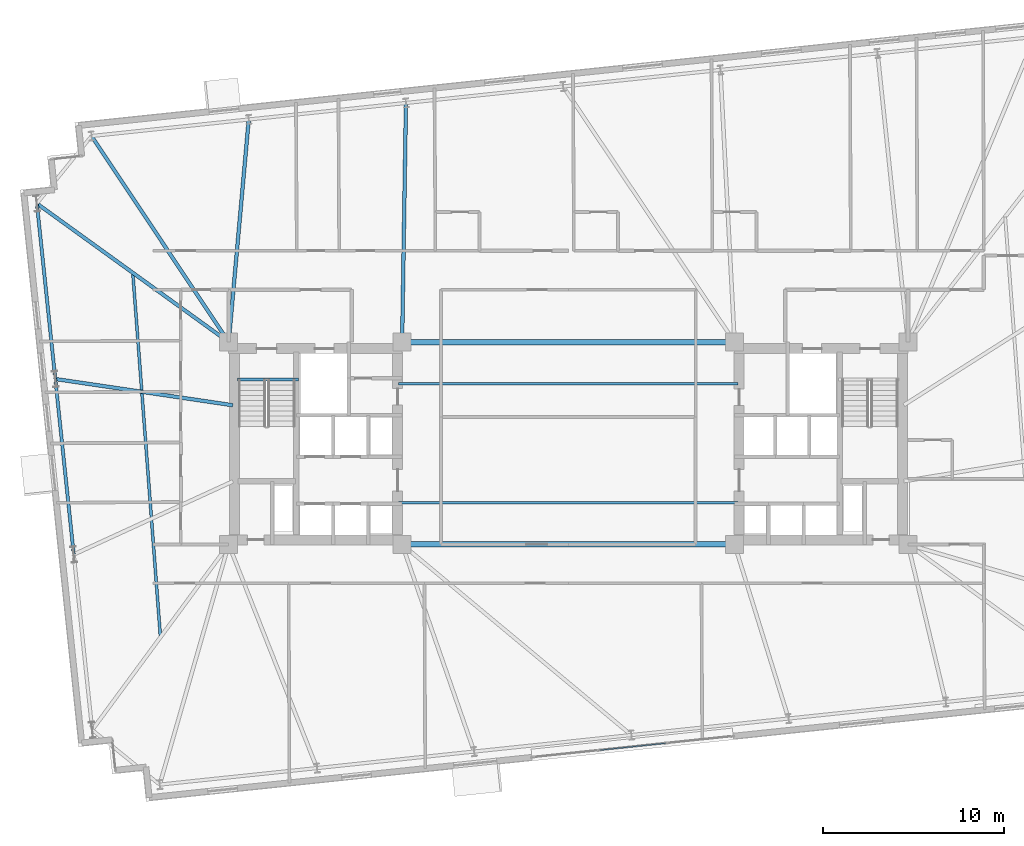
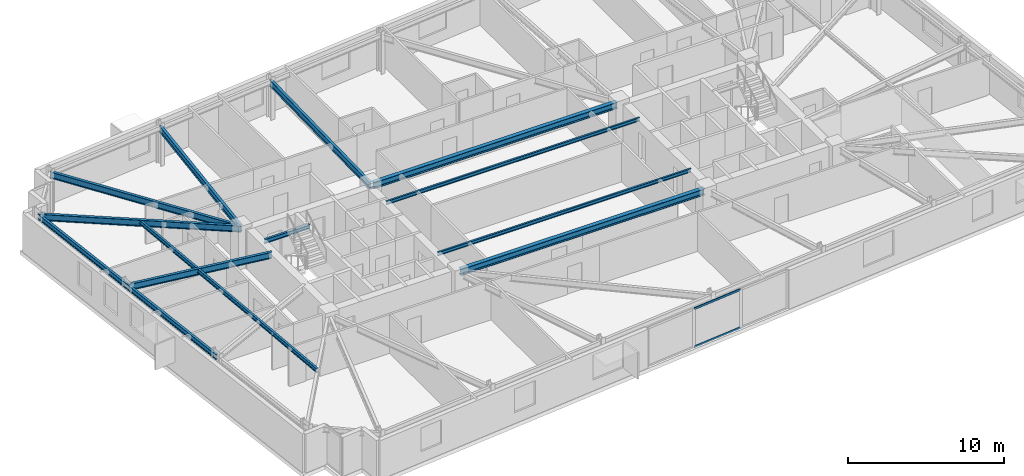
# One storey, part 7 of 23: 13 beams, 2 members, 1 element without a shape of its own.
"""IFC4 building model written with IfcOpenShell, lengths in metres."""

from ifc_helpers import new_model, si_unit, direction, frame, origin, origin_2d, place, context, subcontext, project, spatial, hollow_rectangle, i_section, extrude, material, layer, layer_set, material_profile, profile_set, type_object, element, aggregate, save


model = new_model("IFC4")

# Units and contexts
model_context = context("Model", 3, precision=1e-05, world=origin(), true_north=direction((0.0, 1.0)))
body_context = subcontext(model_context, "Body", "Model", "MODEL_VIEW")
ifc_project = project(units=[si_unit("LENGTHUNIT", "METRE"), si_unit("AREAUNIT", "SQUARE_METRE"), si_unit("VOLUMEUNIT", "CUBIC_METRE"), si_unit("PLANEANGLEUNIT", "RADIAN"), si_unit("MASSUNIT", "GRAM", prefix="KILO")], contexts=[model_context])

# Site, building, storey
site_placement = place(None, origin())
site = spatial("IfcSite", under=ifc_project, at=site_placement, CompositionType="ELEMENT")
building_placement = place(site_placement, origin())
building = spatial("IfcBuilding", under=site, at=building_placement, Name="Qobustan Lattice House", CompositionType="ELEMENT")
storey_placement = place(building_placement, frame((0.0, 0.0, 102.449951171875)))
storey = spatial("IfcBuildingStorey", under=building, at=storey_placement, Name="L28", CompositionType="ELEMENT", Elevation=102.449951171875)

# Beams
ifc_material_1 = material(Name="Steel S355", Category="steel")
ifc_material_profile_1 = material_profile(ifc_material_1, i_section(OverallWidth=0.300048828125, OverallDepth=0.5, WebThickness=0.014404296875, FlangeThickness=0.028076171875, FilletRadius=0.027099609375, at=origin_2d()), Name="HEB500")
ifc_profile_set_1 = profile_set([ifc_material_profile_1], Name="Steel S355")
beam_type_1 = type_object("IfcBeamType", Name="BM-CG-HEB500", PredefinedType="USERDEFINED", material=ifc_profile_set_1)
for number, where, z_axis, x_axis, name in (
    (1, (-9.050048828125, -5.60009765625, 2.795166015625), (1.0, 0.0, 0.0), (0.0, 1.0, 0.0), "L28 core spine girder CG-CS"),
    (2, (-9.050048828125, 5.60009765625, 2.795166015625), (1.0, 0.0, 0.0), (0.0, 1.0, 0.0), "L28 core spine girder CG-CN"),
):
    element("IfcBeam", number, at=place(storey_placement, frame(where, z_axis=z_axis, x_axis=x_axis)), inside=storey, type_object=beam_type_1, Name=name, ObjectType="GIRDER", PredefinedType="USERDEFINED", context=body_context, shape_type="SweptSolid", body=[
        extrude(i_section(OverallWidth=0.300048828125, OverallDepth=0.5, WebThickness=0.014404296875, FlangeThickness=0.028076171875, FilletRadius=0.027099609375, at=origin_2d()), origin(), (0.0, 0.0, 1.0), 18.10009765625),
    ])
ifc_material_2 = material(Name="Steel S355", Category="steel")
ifc_material_profile_2 = material_profile(ifc_material_2, i_section(OverallWidth=0.199951171875, OverallDepth=0.5, WebThickness=0.01025390625, FlangeThickness=0.01611328125, FilletRadius=0.02099609375, at=origin_2d()), Name="IPE500")
ifc_profile_set_2 = profile_set([ifc_material_profile_2], Name="Steel S355")
beam_type_2 = type_object("IfcBeamType", Name="BM-FLG-IPE500", PredefinedType="USERDEFINED", material=ifc_profile_set_2)
beam_1_placement = place(storey_placement, frame((-26.37890625, 16.986328125, 2.795166015625), z_axis=(0.5540893103, -0.832457227857, 0.0), x_axis=(0.832457227857, 0.5540893103, 0.0)))
element("IfcBeam", 3, at=beam_1_placement, inside=storey, type_object=beam_type_2, Name="L28 primary floor girder RAD-N7W", ObjectType="GIRDER", PredefinedType="USERDEFINED", context=body_context, shape_type="SweptSolid", body=[
    extrude(i_section(OverallWidth=0.199951171875, OverallDepth=0.5, WebThickness=0.01025390625, FlangeThickness=0.01611328125, FilletRadius=0.02099609375, at=origin_2d()), origin(), (0.0, 0.0, 1.0), 13.65283203125),
])
beam_2_placement = place(storey_placement, frame((-17.693115234375, 17.89697265625, 2.795166015625), z_axis=(-0.089658533603, -0.995972563554, 0.0), x_axis=(0.995972563554, -0.089658533603, 0.0)))
element("IfcBeam", 4, at=beam_2_placement, inside=storey, type_object=beam_type_2, Name="L28 primary floor girder RAD-N6", ObjectType="GIRDER", PredefinedType="USERDEFINED", context=body_context, shape_type="SweptSolid", body=[
    extrude(i_section(OverallWidth=0.199951171875, OverallDepth=0.5, WebThickness=0.01025390625, FlangeThickness=0.01611328125, FilletRadius=0.02099609375, at=origin_2d()), origin(), (0.0, 0.0, 1.0), 12.321533203125),
])
beam_3_placement = place(storey_placement, frame((-8.9892578125, 18.8115234375, 2.795166015625), z_axis=(-0.015957384359, -0.999872672836, 0.0), x_axis=(0.999872672836, -0.015957384359, 0.0)))
element("IfcBeam", 5, at=beam_3_placement, inside=storey, type_object=beam_type_2, Name="L28 primary floor girder RAD-N5", ObjectType="GIRDER", PredefinedType="USERDEFINED", context=body_context, shape_type="SweptSolid", body=[
    extrude(i_section(OverallWidth=0.199951171875, OverallDepth=0.5, WebThickness=0.01025390625, FlangeThickness=0.01611328125, FilletRadius=0.02099609375, at=origin_2d()), origin(), (0.0, 0.0, 1.0), 13.188232421875),
])
beam_4_placement = place(storey_placement, frame((-29.398681640625, 13.255859375, 2.795166015625), z_axis=(0.810627425394, -0.585562274399, 0.0), x_axis=(0.585562274399, 0.810627425394, 0.0)))
element("IfcBeam", 6, at=beam_4_placement, inside=storey, type_object=beam_type_2, Name="L28 primary floor girder RAD-W1", ObjectType="GIRDER", PredefinedType="USERDEFINED", context=body_context, shape_type="SweptSolid", body=[
    extrude(i_section(OverallWidth=0.199951171875, OverallDepth=0.5, WebThickness=0.01025390625, FlangeThickness=0.01611328125, FilletRadius=0.02099609375, at=origin_2d()), origin(), (0.0, 0.0, 1.0), 13.049560546875),
])
beam_5_placement = place(storey_placement, frame((-28.373291015625, 3.5537109375, 2.795166015625), z_axis=(0.989228195022, -0.146381618294, 0.0), x_axis=(0.146381618294, 0.989228195022, 0.0)))
element("IfcBeam", 7, at=beam_5_placement, inside=storey, type_object=beam_type_2, Name="L28 primary floor girder RAD-W2", ObjectType="GIRDER", PredefinedType="USERDEFINED", context=body_context, shape_type="SweptSolid", body=[
    extrude(i_section(OverallWidth=0.199951171875, OverallDepth=0.5, WebThickness=0.01025390625, FlangeThickness=0.01611328125, FilletRadius=0.02099609375, at=origin_2d()), origin(), (0.0, 0.0, 1.0), 9.9052734375),
])
ifc_material_3 = material(Name="Steel S355", Category="steel")
ifc_material_profile_3 = material_profile(ifc_material_3, i_section(OverallWidth=0.135009765625, OverallDepth=0.27001953125, WebThickness=0.006591796875, FlangeThickness=0.01025390625, FilletRadius=0.014892578125, at=origin_2d()), Name="IPE270")
ifc_profile_set_3 = profile_set([ifc_material_profile_3], Name="Steel S355")
beam_type_3 = type_object("IfcBeamType", Name="BM-JST-IPE270", PredefinedType="JOIST", material=ifc_profile_set_3)
for number, where, z_axis, x_axis, name in (
    (8, (-9.39990234375, -3.300048828125, 2.91015625), (1.0, 0.0, 0.0), (0.0, 1.0, 0.0), "L28 central span floor joist 1"),
    (9, (-9.39990234375, 3.300048828125, 2.91015625), (1.0, 0.0, 0.0), (0.0, 1.0, 0.0), "L28 central span floor joist 2"),
):
    element("IfcBeam", number, at=place(storey_placement, frame(where, z_axis=z_axis, x_axis=x_axis)), inside=storey, type_object=beam_type_3, Name=name, PredefinedType="JOIST", context=body_context, shape_type="SweptSolid", body=[
        extrude(i_section(OverallWidth=0.135009765625, OverallDepth=0.27001953125, WebThickness=0.006591796875, FlangeThickness=0.01025390625, FilletRadius=0.014892578125, at=origin_2d()), origin(), (0.0, 0.0, 1.0), 18.7998046875),
    ])
ifc_material_4 = material(Name="Steel S355", Category="steel")
ifc_material_profile_4 = material_profile(ifc_material_4, i_section(OverallWidth=0.159912109375, OverallDepth=0.330078125, WebThickness=0.007568359375, FlangeThickness=0.011474609375, FilletRadius=0.01806640625, at=origin_2d()), Name="IPE330")
ifc_profile_set_4 = profile_set([ifc_material_profile_4], Name="Steel S355")
beam_type_4 = type_object("IfcBeamType", Name="BM-SEC-IPE330", PredefinedType="BEAM", material=ifc_profile_set_4)
beam_6_placement = place(storey_placement, frame((-24.109619140625, 9.435302734375, 2.880126953125), z_axis=(0.07571166528, -0.997129752711, 0.0), x_axis=(0.997129752711, 0.07571166528, 0.0)))
element("IfcBeam", 10, at=beam_6_placement, inside=storey, type_object=beam_type_4, Name="L28 west wing secondary beam", PredefinedType="BEAM", context=body_context, shape_type="SweptSolid", body=[
    extrude(i_section(OverallWidth=0.159912109375, OverallDepth=0.330078125, WebThickness=0.007568359375, FlangeThickness=0.011474609375, FilletRadius=0.01806640625, at=origin_2d()), origin(), (0.0, 0.0, 1.0), 20.22802734375),
])
ifc_material_5 = material(Name="Steel S355", Category="steel")
ifc_material_profile_5 = material_profile(ifc_material_5, i_section(OverallWidth=0.159912109375, OverallDepth=0.330078125, WebThickness=0.007568359375, FlangeThickness=0.011474609375, FilletRadius=0.01806640625, at=origin_2d()), Name="IPE330")
ifc_profile_set_5 = profile_set([ifc_material_profile_5], Name="Steel S355")
beam_type_5 = type_object("IfcBeamType", Name="BM-SPD-IPE330", PredefinedType="SPANDREL", material=ifc_profile_set_5)
beam_7_placement = place(storey_placement, frame((-18.300048828125, 3.52001953125, 2.880126953125), z_axis=(1.0, 0.0, 0.0), x_axis=(0.0, 1.0, 0.0)))
element("IfcBeam", 11, at=beam_7_placement, inside=storey, type_object=beam_type_5, Name="L28 west stair landing trimmer beam", PredefinedType="SPANDREL", context=body_context, shape_type="SweptSolid", body=[
    extrude(i_section(OverallWidth=0.159912109375, OverallDepth=0.330078125, WebThickness=0.007568359375, FlangeThickness=0.011474609375, FilletRadius=0.01806640625, at=origin_2d()), origin(), (0.0, 0.0, 1.0), 3.35009765625),
])
ifc_material_6 = material(Name="Steel S355", Category="steel")
ifc_material_profile_6 = material_profile(ifc_material_6, i_section(OverallWidth=0.179931640625, OverallDepth=0.39990234375, WebThickness=0.008544921875, FlangeThickness=0.013427734375, FilletRadius=0.02099609375, at=origin_2d()), Name="IPE400")
ifc_profile_set_6 = profile_set([ifc_material_profile_6], Name="Steel S355")
beam_type_6 = type_object("IfcBeamType", Name="BM-SPD-IPE400", PredefinedType="SPANDREL", material=ifc_profile_set_6)
beam_8_placement = place(storey_placement, frame((-29.416259765625, 13.24560546875, 2.844970703125), z_axis=(0.104525214252, -0.994522236848, 0.0), x_axis=(0.994522236848, 0.104525214252, 0.0)))
element("IfcBeam", 12, at=beam_8_placement, inside=storey, type_object=beam_type_6, Name="L28 perimeter spandrel W1-W2", PredefinedType="SPANDREL", context=body_context, shape_type="SweptSolid", body=[
    extrude(i_section(OverallWidth=0.179931640625, OverallDepth=0.39990234375, WebThickness=0.008544921875, FlangeThickness=0.013427734375, FilletRadius=0.02099609375, at=origin_2d()), origin(), (0.0, 0.0, 1.0), 9.716552734375),
])
beam_9_placement = place(storey_placement, frame((-28.3955078125, 3.532470703125, 2.844970703125), z_axis=(0.104547453407, -0.994519899241, 0.0), x_axis=(0.994519899241, 0.104547453407, 0.0)))
element("IfcBeam", 13, at=beam_9_placement, inside=storey, type_object=beam_type_6, Name="L28 perimeter spandrel W2-W3", PredefinedType="SPANDREL", context=body_context, shape_type="SweptSolid", body=[
    extrude(i_section(OverallWidth=0.179931640625, OverallDepth=0.39990234375, WebThickness=0.008544921875, FlangeThickness=0.013427734375, FilletRadius=0.02099609375, at=origin_2d()), origin(), (0.0, 0.0, 1.0), 9.716796875),
])

# Curtain wall, members
ifc_material_7 = material(Name="Anodised aluminium and low-E glazing", Category="aluminium")
ifc_layer = layer(ifc_material_7, 0.219970703125)
ifc_layer_set = layer_set([ifc_layer], Name="Anodised aluminium and low-E glazing")
curtain_wall_type = type_object("IfcCurtainWallType", Name="CW-IWN-01", PredefinedType="USERDEFINED", material=ifc_layer_set)
curtain_wall_placement = place(storey_placement, origin())
curtain_wall = element("IfcCurtainWall", 14, at=curtain_wall_placement, inside=storey, type_object=curtain_wall_type, Name="L28 IWAN-2 walnut-lined iwan curtain wall", ObjectType="CURTAIN WALL", PredefinedType="USERDEFINED")
ifc_material_8 = material(Name="Anodised aluminium EN AW-6063 T6", Category="aluminium")
ifc_material_profile_7 = material_profile(ifc_material_8, hollow_rectangle(XDim=0.06494140625, YDim=0.159912109375, WallThickness=0.00390625, at=origin_2d()), Name="CWT-160x65")
ifc_profile_set_7 = profile_set([ifc_material_profile_7], Name="Anodised aluminium EN AW-6063 T6")
member_type = type_object("IfcMemberType", Name="CWT-HOR-160", PredefinedType="USERDEFINED", material=ifc_profile_set_7)
member_1_placement = place(storey_placement, frame((5.371337890625, -16.606689453125, 0.032470703125), z_axis=(-0.994523015384, -0.104517806482, 0.0), x_axis=(0.104517806482, -0.994523015384, 0.0)))
member_1 = element("IfcMember", 15, at=member_1_placement, type_object=member_type, Name="CW-IW transom 2.1", ObjectType="TRANSOM", PredefinedType="USERDEFINED", context=body_context, shape_type="SweptSolid", body=[
    extrude(hollow_rectangle(XDim=0.06494140625, YDim=0.159912109375, WallThickness=0.00390625, at=origin_2d()), origin(), (0.0, 0.0, 1.0), 3.6533203125),
])
member_2_placement = place(storey_placement, frame((5.371337890625, -16.606689453125, 3.012451171875), z_axis=(-0.994523015384, -0.104517806482, 0.0), x_axis=(0.104517806482, -0.994523015384, 0.0)))
member_2 = element("IfcMember", 16, at=member_2_placement, type_object=member_type, Name="CW-IW transom 2.2", ObjectType="TRANSOM", PredefinedType="USERDEFINED", context=body_context, shape_type="SweptSolid", body=[
    extrude(hollow_rectangle(XDim=0.06494140625, YDim=0.159912109375, WallThickness=0.00390625, at=origin_2d()), origin(), (0.0, 0.0, 1.0), 3.6533203125),
])
aggregate(curtain_wall, [member_1, member_2])

save(model, "model.ifc")
